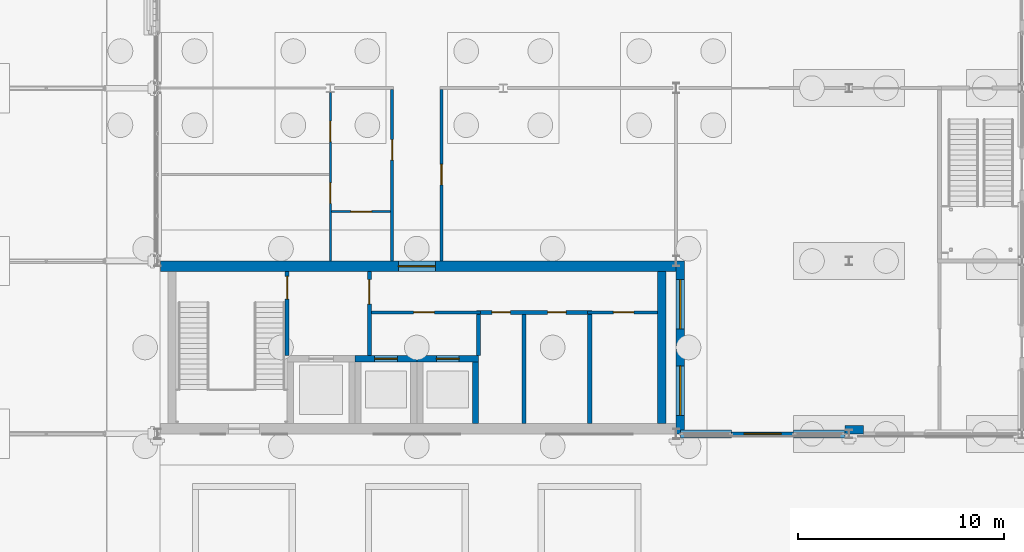
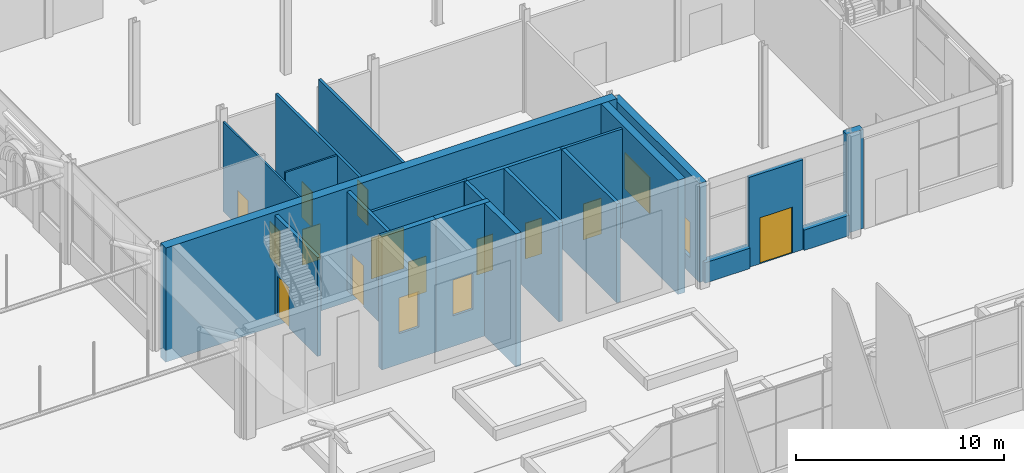
# One storey, part 186 of 212: 22 walls, 15 doors, 2 windows, 17 openings.
"""IFC4 building model written with IfcOpenShell, lengths in metres."""

from ifc_helpers import new_model, si_unit, direction, frame, frame_2d, origin, place, context, subcontext, project, spatial, rectangle, extrude, material, layer, layer_set, type_object, element, fill, save


model = new_model("IFC4")

# Units and contexts
model_context = context("Model", 3, precision=1e-05, world=origin(), true_north=direction((0.0, 1.0)))
body_context = subcontext(model_context, "Body", "Model", "MODEL_VIEW")
ifc_project = project(units=[si_unit("LENGTHUNIT", "METRE"), si_unit("AREAUNIT", "SQUARE_METRE"), si_unit("VOLUMEUNIT", "CUBIC_METRE"), si_unit("PLANEANGLEUNIT", "RADIAN"), si_unit("MASSUNIT", "GRAM", prefix="KILO")], contexts=[model_context])

# Site, building, storey
site_placement = place(None, origin())
site = spatial("IfcSite", under=ifc_project, at=site_placement, CompositionType="ELEMENT")
building_placement = place(site_placement, origin())
building = spatial("IfcBuilding", under=site, at=building_placement, Name="Catenary Quay Ferry Terminal", CompositionType="ELEMENT")
storey_placement = place(building_placement, origin())
storey = spatial("IfcBuildingStorey", under=building, at=storey_placement, Name="L00", CompositionType="ELEMENT", Elevation=0.0)

# Wall
ifc_material_1 = material(Name="Concrete C50/60", Category="concrete")
ifc_layer_1 = layer(ifc_material_1, 0.39990234375)
ifc_layer_set_1 = layer_set([ifc_layer_1], Name="Core wall 400")
wall_type_1 = type_object("IfcWallType", Name="Core wall 400", PredefinedType="SHEAR", material=ifc_layer_set_1)
wall_1_placement = place(storey_placement, frame((49.699951171875, 160.10009765625, -0.699951171875), z_axis=(0.0, 0.0, 1.0), x_axis=(0.0, 1.0, 0.0)))
element("IfcWall", 1, at=wall_1_placement, inside=storey, type_object=wall_type_1, Name="Core wall S4", PredefinedType="SHEAR", context=body_context, shape_type="SweptSolid", body=[
    extrude(rectangle(XDim=7.39990234375, YDim=0.39990234375, at=frame_2d((3.699951171875, 0.0))), origin(), (0.0, 0.0, 1.0), 6.699951171875),
])

# Wall, opening, door
ifc_material_2 = material(Name="Concrete C50/60", Category="concrete")
ifc_layer_2 = layer(ifc_material_2, 0.5)
ifc_layer_set_2 = layer_set([ifc_layer_2], Name="Core wall 500")
wall_type_2 = type_object("IfcWallType", Name="Core wall 500", PredefinedType="SHEAR", material=ifc_layer_set_2)
wall_2_placement = place(storey_placement, frame((25.35009765625, 167.75, -0.699951171875), z_axis=(0.0, 0.0, 1.0), x_axis=(1.0, 0.0, 0.0)))
wall_2 = element("IfcWall", 2, at=wall_2_placement, inside=storey, type_object=wall_type_2, Name="Core wall S2", PredefinedType="SHEAR", context=body_context, shape_type="SweptSolid", body=[
    extrude(rectangle(XDim=25.04296875, YDim=0.5, at=frame_2d((12.521484375, 0.0))), origin(), (0.0, 0.0, 1.0), 6.699951171875),
])
opening_1_placement = place(wall_2_placement, frame((11.550048828125, 0.0, 0.699951171875)))
opening_1 = element("IfcOpeningElement", 3, at=opening_1_placement, cuts=wall_2, Name="Opening D86", PredefinedType="OPENING", context=body_context, shape_type="SweptSolid", body=[
    extrude(rectangle(XDim=1.800048828125, YDim=2.39990234375, at=frame_2d((0.89990234375, 1.199951171875))), frame((0.0, 0.260009765625, 0.0), z_axis=(0.0, -1.0, 0.0), x_axis=(1.0, 0.0, 0.0)), (0.0, 0.0, 1.0), 0.52001953125),
])
ifc_material_3 = material(Name="Steel and glass", Category="steel")
door_type_1 = type_object("IfcDoorType", Name="DI3", OperationType="DOUBLE_DOOR_SINGLE_SWING", PredefinedType="DOOR", material=ifc_material_3)
door_1_placement = place(opening_1_placement, frame((1.800048828125, 0.0, 0.0), z_axis=(0.0, 0.0, 1.0), x_axis=(-1.0, 0.0, 0.0)))
door_1 = element("IfcDoor", 4, at=door_1_placement, inside=storey, type_object=door_type_1, Name="Operations Corridor South to Core Corridor S", OperationType="DOUBLE_DOOR_SINGLE_SWING", OverallHeight=2.39990234375, OverallWidth=1.800048828125, PredefinedType="DOOR", context=body_context, shape_type="SweptSolid", body=[
    extrude(rectangle(XDim=1.800048828125, YDim=2.39990234375, at=frame_2d((0.89990234375, 1.199951171875))), frame((0.0, 0.02490234375, 0.0), z_axis=(0.0, -1.0, 0.0), x_axis=(1.0, 0.0, 0.0)), (0.0, 0.0, 1.0), 0.050048828125),
])
fill(opening_1, door_1)

# Walls
ifc_material_4 = material(Name="Masonry and insulation", Category="masonry")
ifc_layer_3 = layer(ifc_material_4, 0.39990234375)
ifc_layer_set_3 = layer_set([ifc_layer_3], Name="EW14")
wall_type_3 = type_object("IfcWallType", Name="EW14", PredefinedType="SOLIDWALL", material=ifc_layer_set_3)
for number, where, z_axis, x_axis, name in (
    (5, (50.60009765625, 159.60009765625, 0.0), (0.0, 0.0, 1.0), (1.0, 0.0, 0.0), "Plinth wing wall WL62"),
    (6, (56.10009765625, 159.60009765625, 0.0), (0.0, 0.0, 1.0), (1.0, 0.0, 0.0), "Plinth wing wall WL63"),
):
    element("IfcWall", number, at=place(storey_placement, frame(where, z_axis=z_axis, x_axis=x_axis)), inside=storey, type_object=wall_type_3, Name=name, PredefinedType="SOLIDWALL", context=body_context, shape_type="SweptSolid", body=[
        extrude(rectangle(XDim=2.5, YDim=0.39990234375, at=frame_2d((1.25, 0.0))), origin(), (0.0, 0.0, 1.0), 1.199951171875),
    ])
ifc_material_5 = material(Name="Masonry and insulation", Category="masonry")
ifc_layer_4 = layer(ifc_material_5, 0.39990234375)
ifc_layer_set_4 = layer_set([ifc_layer_4], Name="EW2")
wall_type_4 = type_object("IfcWallType", Name="EW2", PredefinedType="SOLIDWALL", material=ifc_layer_set_4)
wall_3_placement = place(storey_placement, frame((58.60009765625, 159.800048828125, 0.0), z_axis=(0.0, 0.0, 1.0), x_axis=(1.0, 0.0, 0.0)))
element("IfcWall", 7, at=wall_3_placement, inside=storey, type_object=wall_type_4, Name="P7 wall WL162", PredefinedType="SOLIDWALL", context=body_context, shape_type="SweptSolid", body=[
    extrude(rectangle(XDim=0.89990234375, YDim=0.39990234375, at=frame_2d((0.449951171875, 0.0))), origin(), (0.0, 0.0, 1.0), 5.800048828125),
])

# Wall, openings, windows
wall_4_placement = place(storey_placement, frame((50.60009765625, 159.60009765625, 0.0), z_axis=(0.0, 0.0, 1.0), x_axis=(0.0, 1.0, 0.0)))
wall_4 = element("IfcWall", 8, at=wall_4_placement, inside=storey, type_object=wall_type_4, Name="P17 wall WL172", PredefinedType="SOLIDWALL", context=body_context, shape_type="SweptSolid", body=[
    extrude(rectangle(XDim=8.39990234375, YDim=0.39990234375, at=frame_2d((4.199951171875, 0.0))), origin(), (0.0, 0.0, 1.0), 5.800048828125),
])
opening_2_placement = place(wall_4_placement, frame((0.89990234375, 0.0, 0.89990234375)))
opening_2 = element("IfcOpeningElement", 9, at=opening_2_placement, cuts=wall_4, Name="Opening W7", PredefinedType="OPENING", context=body_context, shape_type="SweptSolid", body=[
    extrude(rectangle(XDim=2.39990234375, YDim=2.10009765625, at=frame_2d((1.199951171875, 1.050048828125))), frame((0.0, 0.2099609375, 0.0), z_axis=(0.0, -1.0, 0.0), x_axis=(1.0, 0.0, 0.0)), (0.0, 0.0, 1.0), 0.419921875),
])
opening_3_placement = place(wall_4_placement, frame((5.10009765625, 0.0, 0.89990234375)))
opening_3 = element("IfcOpeningElement", 10, at=opening_3_placement, cuts=wall_4, Name="Opening W8", PredefinedType="OPENING", context=body_context, shape_type="SweptSolid", body=[
    extrude(rectangle(XDim=2.39990234375, YDim=2.10009765625, at=frame_2d((1.199951171875, 1.050048828125))), frame((0.0, 0.2099609375, 0.0), z_axis=(0.0, -1.0, 0.0), x_axis=(1.0, 0.0, 0.0)), (0.0, 0.0, 1.0), 0.419921875),
])
ifc_material_6 = material(Name="Aluminium and glass", Category="aluminium")
window_type = type_object("IfcWindowType", Name="WP2", PartitioningType="SINGLE_PANEL", PredefinedType="WINDOW", material=ifc_material_6)
window_1_placement = place(opening_2_placement, origin())
window_1 = element("IfcWindow", 11, at=window_1_placement, inside=storey, type_object=window_type, Name="P17 window W7", OverallHeight=2.10009765625, OverallWidth=2.39990234375, PartitioningType="SINGLE_PANEL", PredefinedType="WINDOW", context=body_context, shape_type="SweptSolid", body=[
    extrude(rectangle(XDim=2.39990234375, YDim=2.10009765625, at=frame_2d((1.199951171875, 1.050048828125))), frame((0.0, 0.030029296875, 0.0), z_axis=(0.0, -1.0, 0.0), x_axis=(1.0, 0.0, 0.0)), (0.0, 0.0, 1.0), 0.06005859375),
])
fill(opening_2, window_1)
window_2_placement = place(opening_3_placement, origin())
window_2 = element("IfcWindow", 12, at=window_2_placement, inside=storey, type_object=window_type, Name="P17 window W8", OverallHeight=2.10009765625, OverallWidth=2.39990234375, PartitioningType="SINGLE_PANEL", PredefinedType="WINDOW", context=body_context, shape_type="SweptSolid", body=[
    extrude(rectangle(XDim=2.39990234375, YDim=2.10009765625, at=frame_2d((1.199951171875, 1.050048828125))), frame((0.0, 0.030029296875, 0.0), z_axis=(0.0, -1.0, 0.0), x_axis=(1.0, 0.0, 0.0)), (0.0, 0.0, 1.0), 0.06005859375),
])
fill(opening_3, window_2)

# Wall, opening, door
ifc_material_7 = material(Name="Masonry and insulation", Category="masonry")
ifc_layer_5 = layer(ifc_material_7, 0.199951171875)
ifc_layer_set_5 = layer_set([ifc_layer_5], Name="EW6")
wall_type_5 = type_object("IfcWallType", Name="EW6", PredefinedType="SOLIDWALL", material=ifc_layer_set_5)
wall_5_placement = place(storey_placement, frame((53.10009765625, 159.60009765625, 0.0), z_axis=(0.0, 0.0, 1.0), x_axis=(1.0, 0.0, 0.0)))
wall_5 = element("IfcWall", 13, at=wall_5_placement, inside=storey, type_object=wall_type_5, Name="Front wing wall WL64", PredefinedType="SOLIDWALL", context=body_context, shape_type="SweptSolid", body=[
    extrude(rectangle(XDim=3.0, YDim=0.199951171875, at=frame_2d((1.5, 0.0))), origin(), (0.0, 0.0, 1.0), 5.271728515625),
])
opening_4_placement = place(wall_5_placement, frame((0.60009765625, 0.0, 0.0)))
opening_4 = element("IfcOpeningElement", 14, at=opening_4_placement, cuts=wall_5, Name="Opening D23", PredefinedType="OPENING", context=body_context, shape_type="SweptSolid", body=[
    extrude(rectangle(XDim=1.800048828125, YDim=2.699951171875, at=frame_2d((0.89990234375, 1.35009765625))), frame((0.0, 0.10986328125, 0.0), z_axis=(0.0, -1.0, 0.0), x_axis=(1.0, 0.0, 0.0)), (0.0, 0.0, 1.0), 0.219970703125),
])
ifc_material_8 = material(Name="Aluminium and glass", Category="aluminium")
door_type_2 = type_object("IfcDoorType", Name="DXH1800", OperationType="DOUBLE_DOOR_DOUBLE_SWING", PredefinedType="DOOR", material=ifc_material_8)
door_2_placement = place(opening_4_placement, frame((1.800048828125, 0.0, 0.0), z_axis=(0.0, 0.0, 1.0), x_axis=(-1.0, 0.0, 0.0)))
door_2 = element("IfcDoor", 15, at=door_2_placement, inside=storey, type_object=door_type_2, Name="Front wing door D23", OperationType="DOUBLE_DOOR_DOUBLE_SWING", OverallHeight=2.699951171875, OverallWidth=1.800048828125, PredefinedType="DOOR", context=body_context, shape_type="SweptSolid", body=[
    extrude(rectangle(XDim=1.800048828125, YDim=2.699951171875, at=frame_2d((0.89990234375, 1.35009765625))), frame((0.0, 0.02490234375, 0.0), z_axis=(0.0, -1.0, 0.0), x_axis=(1.0, 0.0, 0.0)), (0.0, 0.0, 1.0), 0.050048828125),
])
fill(opening_4, door_2)

ifc_material_9 = material(Name="Plasterboard on steel studs", Category="steel")
ifc_layer_6 = layer(ifc_material_9, 0.14990234375)
ifc_layer_set_6 = layer_set([ifc_layer_6], Name="IP3")
wall_type_6 = type_object("IfcWallType", Name="IP3", PredefinedType="PARTITIONING", material=ifc_layer_set_6)
wall_6_placement = place(storey_placement, frame((35.60009765625, 165.5, 0.0), z_axis=(0.0, 0.0, 1.0), x_axis=(1.0, 0.0, 0.0)))
wall_6 = element("IfcWall", 16, at=wall_6_placement, inside=storey, type_object=wall_type_6, Name="Partition L00 41", PredefinedType="PARTITIONING", context=body_context, shape_type="SweptSolid", body=[
    extrude(rectangle(XDim=5.2998046875, YDim=0.14990234375, at=frame_2d((2.64990234375, 0.0))), origin(), (0.0, 0.0, 1.0), 5.800048828125),
])
opening_5_placement = place(wall_6_placement, frame((2.050048828125, 0.0, 0.0)))
opening_5 = element("IfcOpeningElement", 17, at=opening_5_placement, cuts=wall_6, Name="Opening D74", PredefinedType="OPENING", context=body_context, shape_type="SweptSolid", body=[
    extrude(rectangle(XDim=1.0, YDim=2.10009765625, at=frame_2d((0.5, 1.050048828125))), frame((0.0, 0.0849609375, 0.0), z_axis=(0.0, -1.0, 0.0), x_axis=(1.0, 0.0, 0.0)), (0.0, 0.0, 1.0), 0.169921875),
])
ifc_material_10 = material(Name="Steel", Category="steel")
door_type_3 = type_object("IfcDoorType", Name="DI12", OperationType="SINGLE_SWING_LEFT", PredefinedType="DOOR", material=ifc_material_10)
door_3_placement = place(opening_5_placement, origin())
door_3 = element("IfcDoor", 18, at=door_3_placement, inside=storey, type_object=door_type_3, Name="Passenger Lift Lobby S to Core Corridor S", OperationType="SINGLE_SWING_LEFT", OverallHeight=2.10009765625, OverallWidth=1.0, PredefinedType="DOOR", context=body_context, shape_type="SweptSolid", body=[
    extrude(rectangle(XDim=1.0, YDim=2.10009765625, at=frame_2d((0.5, 1.050048828125))), frame((0.0, 0.02490234375, 0.0), z_axis=(0.0, -1.0, 0.0), x_axis=(1.0, 0.0, 0.0)), (0.0, 0.0, 1.0), 0.050048828125),
])
fill(opening_5, door_3)

wall_7_placement = place(storey_placement, frame((46.10009765625, 165.5, 0.0), z_axis=(0.0, 0.0, 1.0), x_axis=(1.0, 0.0, 0.0)))
wall_7 = element("IfcWall", 19, at=wall_7_placement, inside=storey, type_object=wall_type_6, Name="Partition L00 43", PredefinedType="PARTITIONING", context=body_context, shape_type="SweptSolid", body=[
    extrude(rectangle(XDim=3.39990234375, YDim=0.14990234375, at=frame_2d((1.699951171875, 0.0))), origin(), (0.0, 0.0, 1.0), 5.800048828125),
])
opening_6_placement = place(wall_7_placement, frame((1.25, 0.0, 0.0)))
opening_6 = element("IfcOpeningElement", 20, at=opening_6_placement, cuts=wall_7, Name="Opening D82", PredefinedType="OPENING", context=body_context, shape_type="SweptSolid", body=[
    extrude(rectangle(XDim=1.0, YDim=2.10009765625, at=frame_2d((0.5, 1.050048828125))), frame((0.0, 0.0849609375, 0.0), z_axis=(0.0, -1.0, 0.0), x_axis=(1.0, 0.0, 0.0)), (0.0, 0.0, 1.0), 0.169921875),
])
ifc_material_11 = material(Name="Timber", Category="wood")
door_type_4 = type_object("IfcDoorType", Name="DI8", OperationType="SINGLE_SWING_LEFT", PredefinedType="DOOR", material=ifc_material_11)
door_4_placement = place(opening_6_placement, frame((1.0, 0.0, 0.0), z_axis=(0.0, 0.0, 1.0), x_axis=(-1.0, 0.0, 0.0)))
door_4 = element("IfcDoor", 21, at=door_4_placement, inside=storey, type_object=door_type_4, Name="Accessible WC S to Core Corridor S", OperationType="SINGLE_SWING_RIGHT", OverallHeight=2.10009765625, OverallWidth=1.0, PredefinedType="DOOR", context=body_context, shape_type="SweptSolid", body=[
    extrude(rectangle(XDim=1.0, YDim=2.10009765625, at=frame_2d((0.5, 1.050048828125))), frame((0.0, 0.02490234375, 0.0), z_axis=(0.0, -1.0, 0.0), x_axis=(1.0, 0.0, 0.0)), (0.0, 0.0, 1.0), 0.050048828125),
])
fill(opening_6, door_4)

wall_8_placement = place(storey_placement, frame((36.60009765625, 168.0, 0.0), z_axis=(0.0, 0.0, 1.0), x_axis=(0.0, 1.0, 0.0)))
wall_8 = element("IfcWall", 22, at=wall_8_placement, inside=storey, type_object=wall_type_6, Name="Partition L00 77", PredefinedType="PARTITIONING", context=body_context, shape_type="SweptSolid", body=[
    extrude(rectangle(XDim=8.324951171875, YDim=0.14990234375, at=frame_2d((4.16259765625, 0.0))), origin(), (0.0, 0.0, 1.0), 5.800048828125),
])
opening_7_placement = place(wall_8_placement, frame((4.89990234375, 0.0, 0.0)))
opening_7 = element("IfcOpeningElement", 23, at=opening_7_placement, cuts=wall_8, Name="Opening D91", PredefinedType="OPENING", context=body_context, shape_type="SweptSolid", body=[
    extrude(rectangle(XDim=1.0, YDim=2.10009765625, at=frame_2d((0.5, 1.050048828125))), frame((0.0, 0.0849609375, 0.0), z_axis=(0.0, -1.0, 0.0), x_axis=(1.0, 0.0, 0.0)), (0.0, 0.0, 1.0), 0.169921875),
])
door_5_placement = place(opening_7_placement, origin())
door_5 = element("IfcDoor", 24, at=door_5_placement, inside=storey, type_object=door_type_3, Name="Staff WC Lobby L00 to Operations Corridor South", OperationType="SINGLE_SWING_LEFT", OverallHeight=2.10009765625, OverallWidth=1.0, PredefinedType="DOOR", context=body_context, shape_type="SweptSolid", body=[
    extrude(rectangle(XDim=1.0, YDim=2.10009765625, at=frame_2d((0.5, 1.050048828125))), frame((0.0, 0.02490234375, 0.0), z_axis=(0.0, -1.0, 0.0), x_axis=(1.0, 0.0, 0.0)), (0.0, 0.0, 1.0), 0.050048828125),
])
fill(opening_7, door_5)

wall_9_placement = place(storey_placement, frame((39.0, 168.0, 0.0), z_axis=(0.0, 0.0, 1.0), x_axis=(0.0, 1.0, 0.0)))
wall_9 = element("IfcWall", 25, at=wall_9_placement, inside=storey, type_object=wall_type_6, Name="Partition L00 79", PredefinedType="PARTITIONING", context=body_context, shape_type="SweptSolid", body=[
    extrude(rectangle(XDim=8.324951171875, YDim=0.14990234375, at=frame_2d((4.16259765625, 0.0))), origin(), (0.0, 0.0, 1.0), 5.800048828125),
])
opening_8_placement = place(wall_9_placement, frame((3.699951171875, 0.0, 0.0)))
opening_8 = element("IfcOpeningElement", 26, at=opening_8_placement, cuts=wall_9, Name="Opening D92", PredefinedType="OPENING", context=body_context, shape_type="SweptSolid", body=[
    extrude(rectangle(XDim=1.0, YDim=2.10009765625, at=frame_2d((0.5, 1.050048828125))), frame((0.0, 0.0849609375, 0.0), z_axis=(0.0, -1.0, 0.0), x_axis=(1.0, 0.0, 0.0)), (0.0, 0.0, 1.0), 0.169921875),
])
ifc_material_12 = material(Name="Timber", Category="wood")
door_type_5 = type_object("IfcDoorType", Name="DI7", OperationType="SINGLE_SWING_LEFT", PredefinedType="DOOR", material=ifc_material_12)
door_6_placement = place(opening_8_placement, frame((1.0, 0.0, 0.0), z_axis=(0.0, 0.0, 1.0), x_axis=(-1.0, 0.0, 0.0)))
door_6 = element("IfcDoor", 27, at=door_6_placement, inside=storey, type_object=door_type_5, Name="Visitor Information Centre to Operations Corridor South", OperationType="SINGLE_SWING_RIGHT", OverallHeight=2.10009765625, OverallWidth=1.0, PredefinedType="DOOR", context=body_context, shape_type="SweptSolid", body=[
    extrude(rectangle(XDim=1.0, YDim=2.10009765625, at=frame_2d((0.5, 1.050048828125))), frame((0.0, 0.02490234375, 0.0), z_axis=(0.0, -1.0, 0.0), x_axis=(1.0, 0.0, 0.0)), (0.0, 0.0, 1.0), 0.050048828125),
])
fill(opening_8, door_6)

ifc_material_13 = material(Name="Blockwork and plaster", Category="masonry")
ifc_layer_7 = layer(ifc_material_13, 0.199951171875)
ifc_layer_set_7 = layer_set([ifc_layer_7], Name="IP4")
wall_type_7 = type_object("IfcWallType", Name="IP4", PredefinedType="PARTITIONING", material=ifc_layer_set_7)
wall_10_placement = place(storey_placement, frame((31.5, 163.39990234375, 0.0), z_axis=(0.0, 0.0, 1.0), x_axis=(0.0, 1.0, 0.0)))
wall_10 = element("IfcWall", 28, at=wall_10_placement, inside=storey, type_object=wall_type_7, Name="Partition L00 66", PredefinedType="PARTITIONING", context=body_context, shape_type="SweptSolid", body=[
    extrude(rectangle(XDim=4.10009765625, YDim=0.199951171875, at=frame_2d((2.050048828125, 0.0))), origin(), (0.0, 0.0, 1.0), 5.800048828125),
])
opening_9_placement = place(wall_10_placement, frame((2.75, 0.0, 0.0)))
opening_9 = element("IfcOpeningElement", 29, at=opening_9_placement, cuts=wall_10, Name="Opening D84", PredefinedType="OPENING", context=body_context, shape_type="SweptSolid", body=[
    extrude(rectangle(XDim=1.10009765625, YDim=2.39990234375, at=frame_2d((0.550048828125, 1.199951171875))), frame((0.0, 0.10986328125, 0.0), z_axis=(0.0, -1.0, 0.0), x_axis=(1.0, 0.0, 0.0)), (0.0, 0.0, 1.0), 0.219970703125),
])
ifc_material_14 = material(Name="Steel", Category="steel")
door_type_6 = type_object("IfcDoorType", Name="DI4", OperationType="SINGLE_SWING_LEFT", PredefinedType="DOOR", material=ifc_material_14)
door_7_placement = place(opening_9_placement, origin())
door_7 = element("IfcDoor", 30, at=door_7_placement, inside=storey, type_object=door_type_6, Name="Stair HS2 to Fire-fighting Lobby S", OperationType="SINGLE_SWING_LEFT", OverallHeight=2.39990234375, OverallWidth=1.10009765625, PredefinedType="DOOR", context=body_context, shape_type="SweptSolid", body=[
    extrude(rectangle(XDim=1.10009765625, YDim=2.39990234375, at=frame_2d((0.550048828125, 1.199951171875))), frame((0.0, 0.02490234375, 0.0), z_axis=(0.0, -1.0, 0.0), x_axis=(1.0, 0.0, 0.0)), (0.0, 0.0, 1.0), 0.050048828125),
])
fill(opening_9, door_7)

wall_11_placement = place(storey_placement, frame((35.5, 163.39990234375, 0.0), z_axis=(0.0, 0.0, 1.0), x_axis=(0.0, 1.0, 0.0)))
wall_11 = element("IfcWall", 31, at=wall_11_placement, inside=storey, type_object=wall_type_7, Name="Partition L00 75", PredefinedType="PARTITIONING", context=body_context, shape_type="SweptSolid", body=[
    extrude(rectangle(XDim=4.10009765625, YDim=0.199951171875, at=frame_2d((2.050048828125, 0.0))), origin(), (0.0, 0.0, 1.0), 5.800048828125),
])
opening_10_placement = place(wall_11_placement, frame((2.5, 0.0, 0.0)))
opening_10 = element("IfcOpeningElement", 32, at=opening_10_placement, cuts=wall_11, Name="Opening D76", PredefinedType="OPENING", context=body_context, shape_type="SweptSolid", body=[
    extrude(rectangle(XDim=1.199951171875, YDim=2.39990234375, at=frame_2d((0.60009765625, 1.199951171875))), frame((0.0, 0.10986328125, 0.0), z_axis=(0.0, -1.0, 0.0), x_axis=(1.0, 0.0, 0.0)), (0.0, 0.0, 1.0), 0.219970703125),
])
ifc_material_15 = material(Name="Steel and glass", Category="steel")
door_type_7 = type_object("IfcDoorType", Name="DI10", OperationType="SINGLE_SWING_LEFT", PredefinedType="DOOR", material=ifc_material_15)
door_8_placement = place(opening_10_placement, origin())
door_8 = element("IfcDoor", 33, at=door_8_placement, inside=storey, type_object=door_type_7, Name="Fire-fighting Lobby S to Core Corridor S", OperationType="SINGLE_SWING_LEFT", OverallHeight=2.39990234375, OverallWidth=1.199951171875, PredefinedType="DOOR", context=body_context, shape_type="SweptSolid", body=[
    extrude(rectangle(XDim=1.199951171875, YDim=2.39990234375, at=frame_2d((0.60009765625, 1.199951171875))), frame((0.0, 0.02490234375, 0.0), z_axis=(0.0, -1.0, 0.0), x_axis=(1.0, 0.0, 0.0)), (0.0, 0.0, 1.0), 0.050048828125),
])
fill(opening_10, door_8)

# Wall, openings, doors
ifc_material_16 = material(Name="Blockwork and plaster", Category="masonry")
ifc_layer_8 = layer(ifc_material_16, 0.199951171875)
ifc_layer_set_8 = layer_set([ifc_layer_8], Name="IP6")
wall_type_8 = type_object("IfcWallType", Name="IP6", PredefinedType="PARTITIONING", material=ifc_layer_set_8)
wall_12_placement = place(storey_placement, frame((40.699951171875, 165.5, 0.0), z_axis=(0.0, 0.0, 1.0), x_axis=(1.0, 0.0, 0.0)))
wall_12 = element("IfcWall", 34, at=wall_12_placement, inside=storey, type_object=wall_type_8, Name="Partition L00 42", PredefinedType="PARTITIONING", context=body_context, shape_type="SweptSolid", body=[
    extrude(rectangle(XDim=5.60009765625, YDim=0.199951171875, at=frame_2d((2.800048828125, 0.0))), origin(), (0.0, 0.0, 1.0), 5.800048828125),
])
opening_11_placement = place(wall_12_placement, frame((0.75, 0.0, 0.0)))
opening_11 = element("IfcOpeningElement", 35, at=opening_11_placement, cuts=wall_12, Name="Opening D78", PredefinedType="OPENING", context=body_context, shape_type="SweptSolid", body=[
    extrude(rectangle(XDim=0.89990234375, YDim=2.10009765625, at=frame_2d((0.449951171875, 1.050048828125))), frame((0.0, 0.10986328125, 0.0), z_axis=(0.0, -1.0, 0.0), x_axis=(1.0, 0.0, 0.0)), (0.0, 0.0, 1.0), 0.219970703125),
])
opening_12_placement = place(wall_12_placement, frame((3.449951171875, 0.0, 0.0)))
opening_12 = element("IfcOpeningElement", 36, at=opening_12_placement, cuts=wall_12, Name="Opening D80", PredefinedType="OPENING", context=body_context, shape_type="SweptSolid", body=[
    extrude(rectangle(XDim=0.89990234375, YDim=2.10009765625, at=frame_2d((0.449951171875, 1.050048828125))), frame((0.0, 0.10986328125, 0.0), z_axis=(0.0, -1.0, 0.0), x_axis=(1.0, 0.0, 0.0)), (0.0, 0.0, 1.0), 0.219970703125),
])
ifc_material_17 = material(Name="Steel", Category="steel")
door_type_8 = type_object("IfcDoorType", Name="DI9", OperationType="SINGLE_SWING_LEFT", PredefinedType="DOOR", material=ifc_material_17)
door_9_placement = place(opening_11_placement, frame((0.89990234375, 0.0, 0.0), z_axis=(0.0, 0.0, 1.0), x_axis=(-1.0, 0.0, 0.0)))
door_9 = element("IfcDoor", 37, at=door_9_placement, inside=storey, type_object=door_type_8, Name="Riser Shaft S to Core Corridor S", OperationType="SINGLE_SWING_RIGHT", OverallHeight=2.10009765625, OverallWidth=0.89990234375, PredefinedType="DOOR", context=body_context, shape_type="SweptSolid", body=[
    extrude(rectangle(XDim=0.89990234375, YDim=2.10009765625, at=frame_2d((0.449951171875, 1.050048828125))), frame((0.0, 0.02490234375, 0.0), z_axis=(0.0, -1.0, 0.0), x_axis=(1.0, 0.0, 0.0)), (0.0, 0.0, 1.0), 0.050048828125),
])
fill(opening_11, door_9)
door_10_placement = place(opening_12_placement, frame((0.89990234375, 0.0, 0.0), z_axis=(0.0, 0.0, 1.0), x_axis=(-1.0, 0.0, 0.0)))
door_10 = element("IfcDoor", 38, at=door_10_placement, inside=storey, type_object=door_type_8, Name="Cleaners Store S to Core Corridor S", OperationType="SINGLE_SWING_RIGHT", OverallHeight=2.10009765625, OverallWidth=0.89990234375, PredefinedType="DOOR", context=body_context, shape_type="SweptSolid", body=[
    extrude(rectangle(XDim=0.89990234375, YDim=2.10009765625, at=frame_2d((0.449951171875, 1.050048828125))), frame((0.0, 0.02490234375, 0.0), z_axis=(0.0, -1.0, 0.0), x_axis=(1.0, 0.0, 0.0)), (0.0, 0.0, 1.0), 0.050048828125),
])
fill(opening_12, door_10)

# Walls
wall_13_placement = place(storey_placement, frame((40.800048828125, 163.39990234375, 0.0), z_axis=(0.0, 0.0, 1.0), x_axis=(0.0, 1.0, 0.0)))
element("IfcWall", 39, at=wall_13_placement, inside=storey, type_object=wall_type_8, Name="Partition L00 83", PredefinedType="PARTITIONING", context=body_context, shape_type="SweptSolid", body=[
    extrude(rectangle(XDim=2.0, YDim=0.199951171875, at=frame_2d((1.0, 0.0))), origin(), (0.0, 0.0, 1.0), 5.800048828125),
])
for number, where, z_axis, x_axis, name in (
    (40, (43.0, 160.10009765625, 0.0), (0.0, 0.0, 1.0), (0.0, 1.0, 0.0), "Partition L00 86"),
    (41, (46.199951171875, 160.10009765625, 0.0), (0.0, 0.0, 1.0), (0.0, 1.0, 0.0), "Partition L00 88"),
):
    element("IfcWall", number, at=place(storey_placement, frame(where, z_axis=z_axis, x_axis=x_axis)), inside=storey, type_object=wall_type_8, Name=name, PredefinedType="PARTITIONING", context=body_context, shape_type="SweptSolid", body=[
        extrude(rectangle(XDim=5.2998046875, YDim=0.199951171875, at=frame_2d((2.64990234375, 0.0))), origin(), (0.0, 0.0, 1.0), 5.800048828125),
    ])

# Wall, opening, door
ifc_material_18 = material(Name="Plasterboard on steel studs", Category="steel")
ifc_layer_9 = layer(ifc_material_18, 0.10009765625)
ifc_layer_set_9 = layer_set([ifc_layer_9], Name="IP8")
wall_type_9 = type_object("IfcWallType", Name="IP8", PredefinedType="PARTITIONING", material=ifc_layer_set_9)
wall_14_placement = place(storey_placement, frame((33.64990234375, 170.39990234375, 0.0), z_axis=(0.0, 0.0, 1.0), x_axis=(1.0, 0.0, 0.0)))
wall_14 = element("IfcWall", 42, at=wall_14_placement, inside=storey, type_object=wall_type_9, Name="Partition L00 45", PredefinedType="PARTITIONING", context=body_context, shape_type="SweptSolid", body=[
    extrude(rectangle(XDim=2.875, YDim=0.10009765625, at=frame_2d((1.4375, 0.0))), origin(), (0.0, 0.0, 1.0), 5.800048828125),
])
opening_13_placement = place(wall_14_placement, frame((0.949951171875, 0.0, 0.0)))
opening_13 = element("IfcOpeningElement", 43, at=opening_13_placement, cuts=wall_14, Name="Opening D88", PredefinedType="OPENING", context=body_context, shape_type="SweptSolid", body=[
    extrude(rectangle(XDim=1.0, YDim=2.10009765625, at=frame_2d((0.5, 1.050048828125))), frame((0.0, 0.06005859375, 0.0), z_axis=(0.0, -1.0, 0.0), x_axis=(1.0, 0.0, 0.0)), (0.0, 0.0, 1.0), 0.1201171875),
])
door_11_placement = place(opening_13_placement, frame((1.0, 0.0, 0.0), z_axis=(0.0, 0.0, 1.0), x_axis=(-1.0, 0.0, 0.0)))
door_11 = element("IfcDoor", 44, at=door_11_placement, inside=storey, type_object=door_type_4, Name="Staff Accessible WC L00 to Staff WC Lobby L00", OperationType="SINGLE_SWING_RIGHT", OverallHeight=2.10009765625, OverallWidth=1.0, PredefinedType="DOOR", context=body_context, shape_type="SweptSolid", body=[
    extrude(rectangle(XDim=1.0, YDim=2.10009765625, at=frame_2d((0.5, 1.050048828125))), frame((0.0, 0.02490234375, 0.0), z_axis=(0.0, -1.0, 0.0), x_axis=(1.0, 0.0, 0.0)), (0.0, 0.0, 1.0), 0.050048828125),
])
fill(opening_13, door_11)

# Wall, openings, doors
wall_15_placement = place(storey_placement, frame((33.60009765625, 168.0, 0.0), z_axis=(0.0, 0.0, 1.0), x_axis=(0.0, 1.0, 0.0)))
wall_15 = element("IfcWall", 45, at=wall_15_placement, inside=storey, type_object=wall_type_9, Name="Partition L00 73", PredefinedType="PARTITIONING", context=body_context, shape_type="SweptSolid", body=[
    extrude(rectangle(XDim=8.196533203125, YDim=0.10009765625, at=frame_2d((4.09814453125, 0.0))), origin(), (0.0, 0.0, 1.0), 5.271728515625),
])
opening_14_placement = place(wall_15_placement, frame((2.800048828125, 0.0, 0.0)))
opening_14 = element("IfcOpeningElement", 46, at=opening_14_placement, cuts=wall_15, Name="Opening D89", PredefinedType="OPENING", context=body_context, shape_type="SweptSolid", body=[
    extrude(rectangle(XDim=1.0, YDim=2.10009765625, at=frame_2d((0.5, 1.050048828125))), frame((0.0, 0.06005859375, 0.0), z_axis=(0.0, -1.0, 0.0), x_axis=(1.0, 0.0, 0.0)), (0.0, 0.0, 1.0), 0.1201171875),
])
opening_15_placement = place(wall_15_placement, frame((5.800048828125, 0.0, 0.0)))
opening_15 = element("IfcOpeningElement", 47, at=opening_15_placement, cuts=wall_15, Name="Opening D90", PredefinedType="OPENING", context=body_context, shape_type="SweptSolid", body=[
    extrude(rectangle(XDim=1.0, YDim=2.10009765625, at=frame_2d((0.5, 1.050048828125))), frame((0.0, 0.06005859375, 0.0), z_axis=(0.0, -1.0, 0.0), x_axis=(1.0, 0.0, 0.0)), (0.0, 0.0, 1.0), 0.1201171875),
])
door_12_placement = place(opening_14_placement, origin())
door_12 = element("IfcDoor", 48, at=door_12_placement, inside=storey, type_object=door_type_4, Name="Staff Women WC L00 to Staff WC Lobby L00", OperationType="SINGLE_SWING_LEFT", OverallHeight=2.10009765625, OverallWidth=1.0, PredefinedType="DOOR", context=body_context, shape_type="SweptSolid", body=[
    extrude(rectangle(XDim=1.0, YDim=2.10009765625, at=frame_2d((0.5, 1.050048828125))), frame((0.0, 0.02490234375, 0.0), z_axis=(0.0, -1.0, 0.0), x_axis=(1.0, 0.0, 0.0)), (0.0, 0.0, 1.0), 0.050048828125),
])
fill(opening_14, door_12)
door_13_placement = place(opening_15_placement, origin())
door_13 = element("IfcDoor", 49, at=door_13_placement, inside=storey, type_object=door_type_4, Name="Staff Men WC L00 to Staff WC Lobby L00", OperationType="SINGLE_SWING_LEFT", OverallHeight=2.10009765625, OverallWidth=1.0, PredefinedType="DOOR", context=body_context, shape_type="SweptSolid", body=[
    extrude(rectangle(XDim=1.0, YDim=2.10009765625, at=frame_2d((0.5, 1.050048828125))), frame((0.0, 0.02490234375, 0.0), z_axis=(0.0, -1.0, 0.0), x_axis=(1.0, 0.0, 0.0)), (0.0, 0.0, 1.0), 0.050048828125),
])
fill(opening_15, door_13)

# Wall, opening, door
ifc_material_19 = material(Name="Concrete C50/60", Category="concrete")
ifc_layer_10 = layer(ifc_material_19, 0.300048828125)
ifc_layer_set_10 = layer_set([ifc_layer_10], Name="Shaft wall 300")
wall_type_10 = type_object("IfcWallType", Name="Shaft wall 300", PredefinedType="SHEAR", material=ifc_layer_set_10)
wall_16_placement = place(storey_placement, frame((34.800048828125, 163.25, -1.800048828125), z_axis=(0.0, 0.0, 1.0), x_axis=(1.0, 0.0, 0.0)))
wall_16 = element("IfcWall", 50, at=wall_16_placement, inside=storey, type_object=wall_type_10, Name="Shaft wall GL1 N", PredefinedType="SHEAR", context=body_context, shape_type="SweptSolid", body=[
    extrude(rectangle(XDim=3.0, YDim=0.300048828125, at=frame_2d((1.5, 0.0))), origin(), (0.0, 0.0, 1.0), 7.800048828125),
])
opening_16_placement = place(wall_16_placement, frame((0.949951171875, 0.0, 1.800048828125)))
opening_16 = element("IfcOpeningElement", 51, at=opening_16_placement, cuts=wall_16, Name="Opening LD15", PredefinedType="OPENING", context=body_context, shape_type="SweptSolid", body=[
    extrude(rectangle(XDim=1.10009765625, YDim=2.10009765625, at=frame_2d((0.550048828125, 1.050048828125))), frame((0.0, 0.159912109375, 0.0), z_axis=(0.0, -1.0, 0.0), x_axis=(1.0, 0.0, 0.0)), (0.0, 0.0, 1.0), 0.320068359375),
])
ifc_material_20 = material(Name="Stainless steel", Category="steel")
door_type_9 = type_object("IfcDoorType", Name="DL1", OperationType="SLIDING_TO_LEFT", PredefinedType="DOOR", material=ifc_material_20)
door_14_placement = place(opening_16_placement, origin())
door_14 = element("IfcDoor", 52, at=door_14_placement, inside=storey, type_object=door_type_9, Name="Lift GL1 landing door L00", OperationType="SLIDING_TO_LEFT", OverallHeight=2.10009765625, OverallWidth=1.10009765625, PredefinedType="DOOR", context=body_context, shape_type="SweptSolid", body=[
    extrude(rectangle(XDim=1.10009765625, YDim=2.10009765625, at=frame_2d((0.550048828125, 1.050048828125))), frame((0.0, 0.02490234375, 0.0), z_axis=(0.0, -1.0, 0.0), x_axis=(1.0, 0.0, 0.0)), (0.0, 0.0, 1.0), 0.050048828125),
])
fill(opening_16, door_14)

# Wall
wall_17_placement = place(storey_placement, frame((40.64990234375, 160.10009765625, -1.800048828125), z_axis=(0.0, 0.0, 1.0), x_axis=(0.0, 1.0, 0.0)))
element("IfcWall", 53, at=wall_17_placement, inside=storey, type_object=wall_type_10, Name="Shaft wall GL2 E", PredefinedType="SHEAR", context=body_context, shape_type="SweptSolid", body=[
    extrude(rectangle(XDim=3.0, YDim=0.300048828125, at=frame_2d((1.5, 0.0))), origin(), (0.0, 0.0, 1.0), 7.800048828125),
])

# Wall, opening, door
wall_18_placement = place(storey_placement, frame((37.800048828125, 163.25, -1.800048828125), z_axis=(0.0, 0.0, 1.0), x_axis=(1.0, 0.0, 0.0)))
wall_18 = element("IfcWall", 54, at=wall_18_placement, inside=storey, type_object=wall_type_10, Name="Shaft wall GL2 N", PredefinedType="SHEAR", context=body_context, shape_type="SweptSolid", body=[
    extrude(rectangle(XDim=3.0, YDim=0.300048828125, at=frame_2d((1.5, 0.0))), origin(), (0.0, 0.0, 1.0), 7.800048828125),
])
opening_17_placement = place(wall_18_placement, frame((0.949951171875, 0.0, 1.800048828125)))
opening_17 = element("IfcOpeningElement", 55, at=opening_17_placement, cuts=wall_18, Name="Opening LD20", PredefinedType="OPENING", context=body_context, shape_type="SweptSolid", body=[
    extrude(rectangle(XDim=1.10009765625, YDim=2.10009765625, at=frame_2d((0.550048828125, 1.050048828125))), frame((0.0, 0.159912109375, 0.0), z_axis=(0.0, -1.0, 0.0), x_axis=(1.0, 0.0, 0.0)), (0.0, 0.0, 1.0), 0.320068359375),
])
door_15_placement = place(opening_17_placement, origin())
door_15 = element("IfcDoor", 56, at=door_15_placement, inside=storey, type_object=door_type_9, Name="Lift GL2 landing door L00", OperationType="SLIDING_TO_LEFT", OverallHeight=2.10009765625, OverallWidth=1.10009765625, PredefinedType="DOOR", context=body_context, shape_type="SweptSolid", body=[
    extrude(rectangle(XDim=1.10009765625, YDim=2.10009765625, at=frame_2d((0.550048828125, 1.050048828125))), frame((0.0, 0.02490234375, 0.0), z_axis=(0.0, -1.0, 0.0), x_axis=(1.0, 0.0, 0.0)), (0.0, 0.0, 1.0), 0.050048828125),
])
fill(opening_17, door_15)

save(model, "model.ifc")
